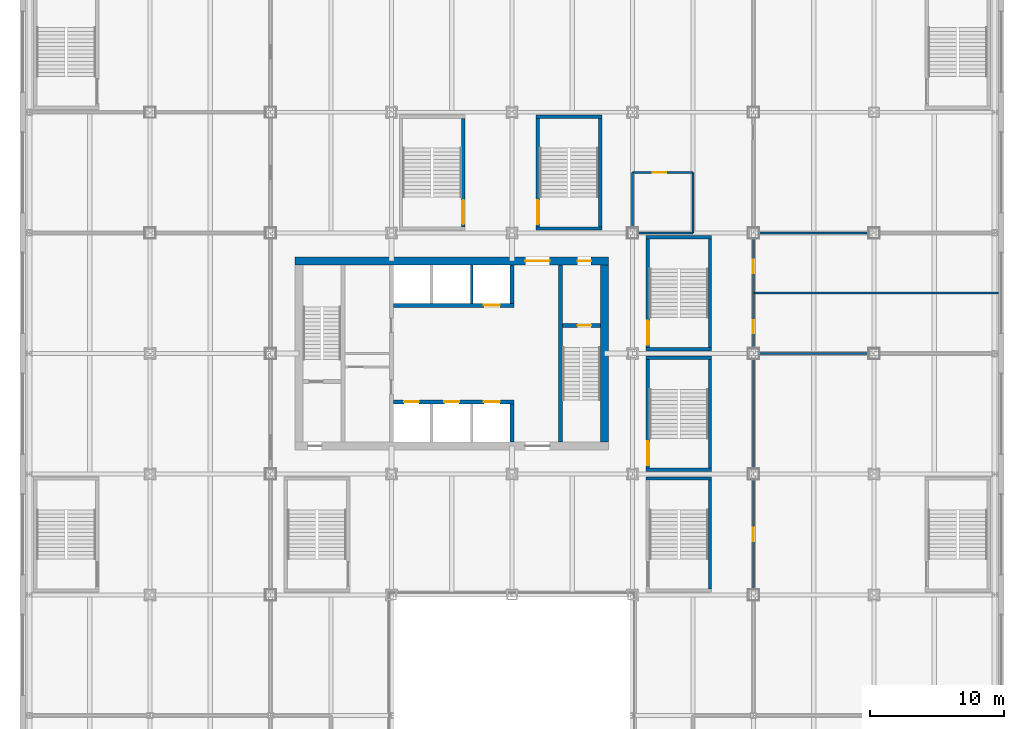
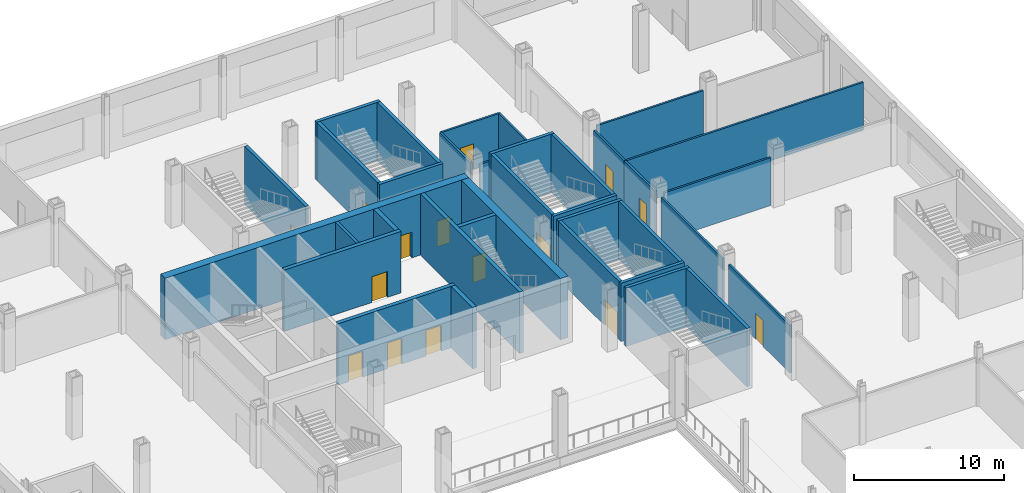
# One storey, part 13 of 31: 35 walls, 15 doors, 15 openings.
"""IFC4 building model written with IfcOpenShell, lengths in metres."""

from ifc_helpers import new_model, si_unit, direction, frame, frame_2d, origin, place, context, subcontext, project, spatial, rectangle, extrude, material, layer, layer_set, type_object, element, fill, save


model = new_model("IFC4")

# Units and contexts
model_context = context("Model", 3, precision=1e-05, world=origin(), true_north=direction((0.0, 1.0)))
body_context = subcontext(model_context, "Body", "Model", "MODEL_VIEW")
ifc_project = project(units=[si_unit("LENGTHUNIT", "METRE"), si_unit("AREAUNIT", "SQUARE_METRE"), si_unit("VOLUMEUNIT", "CUBIC_METRE"), si_unit("PLANEANGLEUNIT", "RADIAN"), si_unit("MASSUNIT", "GRAM", prefix="KILO")], contexts=[model_context])

# Site, building, storey
site_placement = place(None, origin())
site = spatial("IfcSite", under=ifc_project, at=site_placement, CompositionType="ELEMENT")
building_placement = place(site_placement, origin())
building = spatial("IfcBuilding", under=site, at=building_placement, Name="Loomwork Tower", CompositionType="ELEMENT")
storey_placement = place(building_placement, frame((0.0, 0.0, 11.0)))
storey = spatial("IfcBuildingStorey", under=building, at=storey_placement, Name="L02", CompositionType="ELEMENT", Elevation=11.0)

# Wall, openings, doors
ifc_material_1 = material(Name="Concrete 14000 psi (97 MPa)", Category="concrete")
ifc_layer_1 = layer(ifc_material_1, 0.300048828125)
ifc_layer_set_1 = layer_set([ifc_layer_1], Name="Core shear wall 300")
wall_type_1 = type_object("IfcWallType", Name="Core shear wall 300", PredefinedType="SHEAR", material=ifc_layer_set_1)
wall_1_placement = place(storey_placement, frame((18.14990234375, 14.39990234375, 0.0), z_axis=(0.0, 0.0, 1.0), x_axis=(1.0, 0.0, 0.0)))
wall_1 = element("IfcWall", 1, at=wall_1_placement, inside=storey, type_object=wall_type_1, Name="Lift front wall south L02", PredefinedType="SHEAR", context=body_context, shape_type="SweptSolid", body=[
    extrude(rectangle(XDim=9.0, YDim=0.300048828125, at=frame_2d((4.5, 0.0))), origin(), (0.0, 0.0, 1.0), 5.0),
])
opening_1_placement = place(wall_1_placement, frame((0.800048828125, 0.0, 0.0)))
opening_1 = element("IfcOpeningElement", 2, at=opening_1_placement, cuts=wall_1, Name="Opening LD1", PredefinedType="OPENING", context=body_context, shape_type="SweptSolid", body=[
    extrude(rectangle(XDim=1.10009765625, YDim=2.10009765625, at=frame_2d((0.550048828125, 1.050048828125))), frame((0.0, 0.159912109375, 0.0), z_axis=(0.0, -1.0, 0.0), x_axis=(1.0, 0.0, 0.0)), (0.0, 0.0, 1.0), 0.320068359375),
])
opening_2_placement = place(wall_1_placement, frame((3.800048828125, 0.0, 0.0)))
opening_2 = element("IfcOpeningElement", 3, at=opening_2_placement, cuts=wall_1, Name="Opening LD1", PredefinedType="OPENING", context=body_context, shape_type="SweptSolid", body=[
    extrude(rectangle(XDim=1.10009765625, YDim=2.10009765625, at=frame_2d((0.550048828125, 1.050048828125))), frame((0.0, 0.159912109375, 0.0), z_axis=(0.0, -1.0, 0.0), x_axis=(1.0, 0.0, 0.0)), (0.0, 0.0, 1.0), 0.320068359375),
])
opening_3_placement = place(wall_1_placement, frame((6.75, 0.0, 0.0)))
opening_3 = element("IfcOpeningElement", 4, at=opening_3_placement, cuts=wall_1, Name="Opening LD2", PredefinedType="OPENING", context=body_context, shape_type="SweptSolid", body=[
    extrude(rectangle(XDim=1.199951171875, YDim=2.10009765625, at=frame_2d((0.60009765625, 1.050048828125))), frame((0.0, 0.159912109375, 0.0), z_axis=(0.0, -1.0, 0.0), x_axis=(1.0, 0.0, 0.0)), (0.0, 0.0, 1.0), 0.320068359375),
])
ifc_material_2 = material(Name="Hollow metal door and frame")
door_type_1 = type_object("IfcDoorType", Name="Lift landing door 1100", OperationType="SLIDING_TO_LEFT", PredefinedType="DOOR", material=ifc_material_2)
door_1_placement = place(opening_1_placement, origin())
door_1 = element("IfcDoor", 5, at=door_1_placement, inside=storey, type_object=door_type_1, Name="Lift landing door LA1", OperationType="SLIDING_TO_LEFT", OverallHeight=2.10009765625, OverallWidth=1.10009765625, PredefinedType="DOOR", context=body_context, shape_type="SweptSolid", body=[
    extrude(rectangle(XDim=1.10009765625, YDim=2.10009765625, at=frame_2d((0.550048828125, 1.050048828125))), frame((0.0, 0.02490234375, 0.0), z_axis=(0.0, -1.0, 0.0), x_axis=(1.0, 0.0, 0.0)), (0.0, 0.0, 1.0), 0.050048828125),
])
fill(opening_1, door_1)
door_2_placement = place(opening_2_placement, origin())
door_2 = element("IfcDoor", 6, at=door_2_placement, inside=storey, type_object=door_type_1, Name="Lift landing door LA2", OperationType="SLIDING_TO_LEFT", OverallHeight=2.10009765625, OverallWidth=1.10009765625, PredefinedType="DOOR", context=body_context, shape_type="SweptSolid", body=[
    extrude(rectangle(XDim=1.10009765625, YDim=2.10009765625, at=frame_2d((0.550048828125, 1.050048828125))), frame((0.0, 0.02490234375, 0.0), z_axis=(0.0, -1.0, 0.0), x_axis=(1.0, 0.0, 0.0)), (0.0, 0.0, 1.0), 0.050048828125),
])
fill(opening_2, door_2)
ifc_material_3 = material(Name="Hollow metal door and frame")
door_type_2 = type_object("IfcDoorType", Name="Lift landing door 1200", OperationType="SLIDING_TO_LEFT", PredefinedType="DOOR", material=ifc_material_3)
door_3_placement = place(opening_3_placement, origin())
door_3 = element("IfcDoor", 7, at=door_3_placement, inside=storey, type_object=door_type_2, Name="Lift landing door LF1", OperationType="SLIDING_TO_LEFT", OverallHeight=2.10009765625, OverallWidth=1.199951171875, PredefinedType="DOOR", context=body_context, shape_type="SweptSolid", body=[
    extrude(rectangle(XDim=1.199951171875, YDim=2.10009765625, at=frame_2d((0.60009765625, 1.050048828125))), frame((0.0, 0.02490234375, 0.0), z_axis=(0.0, -1.0, 0.0), x_axis=(1.0, 0.0, 0.0)), (0.0, 0.0, 1.0), 0.050048828125),
])
fill(opening_3, door_3)

# Wall
wall_2_placement = place(storey_placement, frame((27.0, 11.39990234375, 0.0), z_axis=(0.0, 0.0, 1.0), x_axis=(0.0, 1.0, 0.0)))
element("IfcWall", 8, at=wall_2_placement, inside=storey, type_object=wall_type_1, Name="Lift shaft end wall south L02", PredefinedType="SHEAR", context=body_context, shape_type="SweptSolid", body=[
    extrude(rectangle(XDim=2.85009765625, YDim=0.300048828125, at=frame_2d((1.425048828125, 0.0))), origin(), (0.0, 0.0, 1.0), 5.0),
])

# Wall, opening, door
wall_3_placement = place(storey_placement, frame((18.14990234375, 21.60009765625, 0.0), z_axis=(0.0, 0.0, 1.0), x_axis=(1.0, 0.0, 0.0)))
wall_3 = element("IfcWall", 9, at=wall_3_placement, inside=storey, type_object=wall_type_1, Name="Lift front wall north L02", PredefinedType="SHEAR", context=body_context, shape_type="SweptSolid", body=[
    extrude(rectangle(XDim=9.0, YDim=0.300048828125, at=frame_2d((4.5, 0.0))), origin(), (0.0, 0.0, 1.0), 5.0),
])
opening_4_placement = place(wall_3_placement, frame((6.75, 0.0, 0.0)))
opening_4 = element("IfcOpeningElement", 10, at=opening_4_placement, cuts=wall_3, Name="Opening LD2", PredefinedType="OPENING", context=body_context, shape_type="SweptSolid", body=[
    extrude(rectangle(XDim=1.199951171875, YDim=2.10009765625, at=frame_2d((0.60009765625, 1.050048828125))), frame((0.0, 0.159912109375, 0.0), z_axis=(0.0, -1.0, 0.0), x_axis=(1.0, 0.0, 0.0)), (0.0, 0.0, 1.0), 0.320068359375),
])
door_4_placement = place(opening_4_placement, origin())
door_4 = element("IfcDoor", 11, at=door_4_placement, inside=storey, type_object=door_type_2, Name="Lift landing door LF2", OperationType="SLIDING_TO_LEFT", OverallHeight=2.10009765625, OverallWidth=1.199951171875, PredefinedType="DOOR", context=body_context, shape_type="SweptSolid", body=[
    extrude(rectangle(XDim=1.199951171875, YDim=2.10009765625, at=frame_2d((0.60009765625, 1.050048828125))), frame((0.0, 0.02490234375, 0.0), z_axis=(0.0, -1.0, 0.0), x_axis=(1.0, 0.0, 0.0)), (0.0, 0.0, 1.0), 0.050048828125),
])
fill(opening_4, door_4)

# Walls
wall_4_placement = place(storey_placement, frame((27.0, 21.75, 0.0), z_axis=(0.0, 0.0, 1.0), x_axis=(0.0, 1.0, 0.0)))
element("IfcWall", 12, at=wall_4_placement, inside=storey, type_object=wall_type_1, Name="Lift shaft end wall north L02", PredefinedType="SHEAR", context=body_context, shape_type="SweptSolid", body=[
    extrude(rectangle(XDim=2.85009765625, YDim=0.300048828125, at=frame_2d((1.425048828125, 0.0))), origin(), (0.0, 0.0, 1.0), 5.0),
])
wall_5_placement = place(storey_placement, frame((30.60009765625, 11.39990234375, 0.0), z_axis=(0.0, 0.0, 1.0), x_axis=(0.0, 1.0, 0.0)))
element("IfcWall", 13, at=wall_5_placement, inside=storey, type_object=wall_type_1, Name="Stair B west wall L02", PredefinedType="SHEAR", context=body_context, shape_type="SweptSolid", body=[
    extrude(rectangle(XDim=13.2001953125, YDim=0.300048828125, at=frame_2d((6.60009765625, 0.0))), origin(), (0.0, 0.0, 1.0), 5.0),
])

# Wall, opening, door
wall_6_placement = place(storey_placement, frame((30.75, 20.10009765625, 0.0), z_axis=(0.0, 0.0, 1.0), x_axis=(1.0, 0.0, 0.0)))
wall_6 = element("IfcWall", 14, at=wall_6_placement, inside=storey, type_object=wall_type_1, Name="Stair B north wall L02", PredefinedType="SHEAR", context=body_context, shape_type="SweptSolid", body=[
    extrude(rectangle(XDim=2.85009765625, YDim=0.300048828125, at=frame_2d((1.425048828125, 0.0))), origin(), (0.0, 0.0, 1.0), 5.0),
])
opening_5_placement = place(wall_6_placement, frame((1.14990234375, 0.0, 0.0)))
opening_5 = element("IfcOpeningElement", 15, at=opening_5_placement, cuts=wall_6, Name="Opening D4", PredefinedType="OPENING", context=body_context, shape_type="SweptSolid", body=[
    extrude(rectangle(XDim=1.0, YDim=2.10009765625, at=frame_2d((0.5, 1.050048828125))), frame((0.0, 0.159912109375, 0.0), z_axis=(0.0, -1.0, 0.0), x_axis=(1.0, 0.0, 0.0)), (0.0, 0.0, 1.0), 0.320068359375),
])
ifc_material_4 = material(Name="Hollow metal door and frame")
door_type_3 = type_object("IfcDoorType", Name="Stair door 1000", OperationType="SINGLE_SWING_RIGHT", PredefinedType="DOOR", material=ifc_material_4)
door_5_placement = place(opening_5_placement, frame((1.0, 0.0, 0.0), z_axis=(0.0, 0.0, 1.0), x_axis=(-1.0, 0.0, 0.0)))
door_5 = element("IfcDoor", 16, at=door_5_placement, inside=storey, type_object=door_type_3, Name="Stair B door", OperationType="SINGLE_SWING_LEFT", OverallHeight=2.10009765625, OverallWidth=1.0, PredefinedType="DOOR", context=body_context, shape_type="SweptSolid", body=[
    extrude(rectangle(XDim=1.0, YDim=2.10009765625, at=frame_2d((0.5, 1.050048828125))), frame((0.0, 0.02490234375, 0.0), z_axis=(0.0, -1.0, 0.0), x_axis=(1.0, 0.0, 0.0)), (0.0, 0.0, 1.0), 0.050048828125),
])
fill(opening_5, door_5)

# Wall, openings, doors
ifc_material_5 = material(Name="Concrete 14000 psi (97 MPa)", Category="concrete")
ifc_layer_2 = layer(ifc_material_5, 0.60009765625)
ifc_layer_set_2 = layer_set([ifc_layer_2], Name="Core shear wall 600")
wall_type_2 = type_object("IfcWallType", Name="Core shear wall 600", PredefinedType="SHEAR", material=ifc_layer_set_2)
wall_7_placement = place(storey_placement, frame((10.800048828125, 24.89990234375, 0.0), z_axis=(0.0, 0.0, 1.0), x_axis=(1.0, 0.0, 0.0)))
wall_7 = element("IfcWall", 17, at=wall_7_placement, inside=storey, type_object=wall_type_2, Name="Core wall north L02", PredefinedType="SHEAR", context=body_context, shape_type="SweptSolid", body=[
    extrude(rectangle(XDim=23.39990234375, YDim=0.60009765625, at=frame_2d((11.699951171875, 0.0))), origin(), (0.0, 0.0, 1.0), 5.0),
])
opening_6_placement = place(wall_7_placement, frame((17.199951171875, 0.0, 0.0)))
opening_6 = element("IfcOpeningElement", 18, at=opening_6_placement, cuts=wall_7, Name="Opening D6", PredefinedType="OPENING", context=body_context, shape_type="SweptSolid", body=[
    extrude(rectangle(XDim=1.800048828125, YDim=2.10009765625, at=frame_2d((0.89990234375, 1.050048828125))), frame((0.0, 0.31005859375, 0.0), z_axis=(0.0, -1.0, 0.0), x_axis=(1.0, 0.0, 0.0)), (0.0, 0.0, 1.0), 0.6201171875),
])
opening_7_placement = place(wall_7_placement, frame((21.10009765625, 0.0, 0.0)))
opening_7 = element("IfcOpeningElement", 19, at=opening_7_placement, cuts=wall_7, Name="Opening D4", PredefinedType="OPENING", context=body_context, shape_type="SweptSolid", body=[
    extrude(rectangle(XDim=1.0, YDim=2.10009765625, at=frame_2d((0.5, 1.050048828125))), frame((0.0, 0.31005859375, 0.0), z_axis=(0.0, -1.0, 0.0), x_axis=(1.0, 0.0, 0.0)), (0.0, 0.0, 1.0), 0.6201171875),
])
ifc_material_6 = material(Name="Hollow metal door and frame")
door_type_4 = type_object("IfcDoorType", Name="Lobby passage double door 1800", OperationType="DOUBLE_DOOR_SINGLE_SWING", PredefinedType="DOOR", material=ifc_material_6)
door_6_placement = place(opening_6_placement, origin())
door_6 = element("IfcDoor", 20, at=door_6_placement, inside=storey, type_object=door_type_4, Name="Lobby passage door north", OperationType="DOUBLE_DOOR_SINGLE_SWING", OverallHeight=2.10009765625, OverallWidth=1.800048828125, PredefinedType="DOOR", context=body_context, shape_type="SweptSolid", body=[
    extrude(rectangle(XDim=1.800048828125, YDim=2.10009765625, at=frame_2d((0.89990234375, 1.050048828125))), frame((0.0, 0.02490234375, 0.0), z_axis=(0.0, -1.0, 0.0), x_axis=(1.0, 0.0, 0.0)), (0.0, 0.0, 1.0), 0.050048828125),
])
fill(opening_6, door_6)
door_7_placement = place(opening_7_placement, frame((1.0, 0.0, 0.0), z_axis=(0.0, 0.0, 1.0), x_axis=(-1.0, 0.0, 0.0)))
door_7 = element("IfcDoor", 21, at=door_7_placement, inside=storey, type_object=door_type_3, Name="Stair B vestibule door", OperationType="SINGLE_SWING_LEFT", OverallHeight=2.10009765625, OverallWidth=1.0, PredefinedType="DOOR", context=body_context, shape_type="SweptSolid", body=[
    extrude(rectangle(XDim=1.0, YDim=2.10009765625, at=frame_2d((0.5, 1.050048828125))), frame((0.0, 0.02490234375, 0.0), z_axis=(0.0, -1.0, 0.0), x_axis=(1.0, 0.0, 0.0)), (0.0, 0.0, 1.0), 0.050048828125),
])
fill(opening_7, door_7)

# Walls
wall_8_placement = place(storey_placement, frame((33.89990234375, 11.39990234375, 0.0), z_axis=(0.0, 0.0, 1.0), x_axis=(0.0, 1.0, 0.0)))
element("IfcWall", 22, at=wall_8_placement, inside=storey, type_object=wall_type_2, Name="Core wall east L02", PredefinedType="SHEAR", context=body_context, shape_type="SweptSolid", body=[
    extrude(rectangle(XDim=13.2001953125, YDim=0.60009765625, at=frame_2d((6.60009765625, 0.0))), origin(), (0.0, 0.0, 1.0), 5.0),
])
ifc_material_7 = material(Name="Concrete 14000 psi (97 MPa)", Category="concrete")
ifc_layer_3 = layer(ifc_material_7, 0.199951171875)
ifc_layer_set_3 = layer_set([ifc_layer_3], Name="Lift shaft wall 200")
wall_type_3 = type_object("IfcWallType", Name="Lift shaft wall 200", PredefinedType="SHEAR", material=ifc_layer_set_3)
wall_9_placement = place(storey_placement, frame((24.0, 21.75, 0.0), z_axis=(0.0, 0.0, 1.0), x_axis=(0.0, 1.0, 0.0)))
element("IfcWall", 23, at=wall_9_placement, inside=storey, type_object=wall_type_3, Name="Lift shaft separation wall north 2 L02", PredefinedType="SHEAR", context=body_context, shape_type="SweptSolid", body=[
    extrude(rectangle(XDim=2.85009765625, YDim=0.199951171875, at=frame_2d((1.425048828125, 0.0))), origin(), (0.0, 0.0, 1.0), 5.0),
])
ifc_material_8 = material(Name="Gypsum board on steel studs, one-hour", Category="steel")
ifc_layer_4 = layer(ifc_material_8, 0.14990234375)
ifc_layer_set_4 = layer_set([ifc_layer_4], Name="Partition 150")
wall_type_4 = type_object("IfcWallType", Name="Partition 150", PredefinedType="PARTITIONING", material=ifc_layer_set_4)
for number, where, z_axis, x_axis, name in (
    (24, (36.0, 27.39990234375, 0.0), (0.0, 0.0, 1.0), (0.0, 1.0, 0.0), "Partition L02 10.1"),
    (25, (40.5, 27.0, 0.0), (0.0, 0.0, 1.0), (-1.0, 0.0, 0.0), "Partition L02 11.1"),
):
    element("IfcWall", number, at=place(storey_placement, frame(where, z_axis=z_axis, x_axis=x_axis)), inside=storey, type_object=wall_type_4, Name=name, PredefinedType="PARTITIONING", context=body_context, shape_type="SweptSolid", body=[
        extrude(rectangle(XDim=4.10009765625, YDim=0.14990234375, at=frame_2d((2.050048828125, 0.0))), origin(), (0.0, 0.0, 1.0), 3.8916015625),
    ])

# Wall, opening, door
wall_10_placement = place(storey_placement, frame((36.0, 31.5, 0.0), z_axis=(0.0, 0.0, 1.0), x_axis=(1.0, 0.0, 0.0)))
wall_10 = element("IfcWall", 26, at=wall_10_placement, inside=storey, type_object=wall_type_4, Name="Partition L02 12.1", PredefinedType="PARTITIONING", context=body_context, shape_type="SweptSolid", body=[
    extrude(rectangle(XDim=4.5, YDim=0.14990234375, at=frame_2d((2.25, 0.0))), origin(), (0.0, 0.0, 1.0), 3.89111328125),
])
opening_8_placement = place(wall_10_placement, frame((1.5, 0.0, 0.0)))
opening_8 = element("IfcOpeningElement", 27, at=opening_8_placement, cuts=wall_10, Name="Opening D8", PredefinedType="OPENING", context=body_context, shape_type="SweptSolid", body=[
    extrude(rectangle(XDim=1.0, YDim=2.10009765625, at=frame_2d((0.5, 1.050048828125))), frame((0.0, 0.0849609375, 0.0), z_axis=(0.0, -1.0, 0.0), x_axis=(1.0, 0.0, 0.0)), (0.0, 0.0, 1.0), 0.169921875),
])
ifc_material_9 = material(Name="Hollow metal door and frame")
door_type_5 = type_object("IfcDoorType", Name="WC door 1000", OperationType="SINGLE_SWING_LEFT", PredefinedType="DOOR", material=ifc_material_9)
door_8_placement = place(opening_8_placement, frame((1.0, 0.0, 0.0), z_axis=(0.0, 0.0, 1.0), x_axis=(-1.0, 0.0, 0.0)))
door_8 = element("IfcDoor", 28, at=door_8_placement, inside=storey, type_object=door_type_5, Name="Accessible WC door", OperationType="SINGLE_SWING_RIGHT", OverallHeight=2.10009765625, OverallWidth=1.0, PredefinedType="DOOR", context=body_context, shape_type="SweptSolid", body=[
    extrude(rectangle(XDim=1.0, YDim=2.10009765625, at=frame_2d((0.5, 1.050048828125))), frame((0.0, 0.02490234375, 0.0), z_axis=(0.0, -1.0, 0.0), x_axis=(1.0, 0.0, 0.0)), (0.0, 0.0, 1.0), 0.050048828125),
])
fill(opening_8, door_8)

# Wall
wall_11_placement = place(storey_placement, frame((40.5, 31.5, 0.0), z_axis=(0.0, 0.0, 1.0), x_axis=(0.0, -1.0, 0.0)))
element("IfcWall", 29, at=wall_11_placement, inside=storey, type_object=wall_type_4, Name="Partition L02 15.1", PredefinedType="PARTITIONING", context=body_context, shape_type="SweptSolid", body=[
    extrude(rectangle(XDim=4.5, YDim=0.14990234375, at=frame_2d((2.25, 0.0))), origin(), (0.0, 0.0, 1.0), 3.89111328125),
])

# Wall, opening, door
wall_12_placement = place(storey_placement, frame((45.0, 0.39990234375, 0.0), z_axis=(0.0, 0.0, 1.0), x_axis=(0.0, 1.0, 0.0)))
wall_12 = element("IfcWall", 30, at=wall_12_placement, inside=storey, type_object=wall_type_4, Name="Partition L02 17.2", PredefinedType="PARTITIONING", context=body_context, shape_type="SweptSolid", body=[
    extrude(rectangle(XDim=8.2001953125, YDim=0.14990234375, at=frame_2d((4.10009765625, 0.0))), origin(), (0.0, 0.0, 1.0), 3.8916015625),
])
opening_9_placement = place(wall_12_placement, frame((3.60009765625, 0.0, 0.0)))
opening_9 = element("IfcOpeningElement", 31, at=opening_9_placement, cuts=wall_12, Name="Opening D7", PredefinedType="OPENING", context=body_context, shape_type="SweptSolid", body=[
    extrude(rectangle(XDim=1.0, YDim=2.10009765625, at=frame_2d((0.5, 1.050048828125))), frame((0.0, 0.0849609375, 0.0), z_axis=(0.0, -1.0, 0.0), x_axis=(1.0, 0.0, 0.0)), (0.0, 0.0, 1.0), 0.169921875),
])
ifc_material_10 = material(Name="Hollow metal door and frame")
door_type_6 = type_object("IfcDoorType", Name="Room door 1000", OperationType="SINGLE_SWING_LEFT", PredefinedType="DOOR", material=ifc_material_10)
door_9_placement = place(opening_9_placement, frame((1.0, 0.0, 0.0), z_axis=(0.0, 0.0, 1.0), x_axis=(-1.0, 0.0, 0.0)))
door_9 = element("IfcDoor", 32, at=door_9_placement, inside=storey, type_object=door_type_6, Name="Business centre door", OperationType="SINGLE_SWING_RIGHT", OverallHeight=2.10009765625, OverallWidth=1.0, PredefinedType="DOOR", context=body_context, shape_type="SweptSolid", body=[
    extrude(rectangle(XDim=1.0, YDim=2.10009765625, at=frame_2d((0.5, 1.050048828125))), frame((0.0, 0.02490234375, 0.0), z_axis=(0.0, -1.0, 0.0), x_axis=(1.0, 0.0, 0.0)), (0.0, 0.0, 1.0), 0.050048828125),
])
fill(opening_9, door_9)

# Walls
for number, where, z_axis, x_axis, name in (
    (33, (45.0, 9.39990234375, 0.0), (0.0, 0.0, 1.0), (0.0, 1.0, 0.0), "Partition L02 17.3"),
    (34, (45.39990234375, 18.0, 0.0), (0.0, 0.0, 1.0), (1.0, 0.0, 0.0), "Partition L02 18.1"),
):
    element("IfcWall", number, at=place(storey_placement, frame(where, z_axis=z_axis, x_axis=x_axis)), inside=storey, type_object=wall_type_4, Name=name, PredefinedType="PARTITIONING", context=body_context, shape_type="SweptSolid", body=[
        extrude(rectangle(XDim=8.2001953125, YDim=0.14990234375, at=frame_2d((4.10009765625, 0.0))), origin(), (0.0, 0.0, 1.0), 3.8916015625),
    ])

# Wall, opening, door
wall_13_placement = place(storey_placement, frame((45.0, 18.39990234375, 0.0), z_axis=(0.0, 0.0, 1.0), x_axis=(0.0, 1.0, 0.0)))
wall_13 = element("IfcWall", 35, at=wall_13_placement, inside=storey, type_object=wall_type_4, Name="Partition L02 19.1", PredefinedType="PARTITIONING", context=body_context, shape_type="SweptSolid", body=[
    extrude(rectangle(XDim=4.10009765625, YDim=0.14990234375, at=frame_2d((2.050048828125, 0.0))), origin(), (0.0, 0.0, 1.0), 3.8916015625),
])
opening_10_placement = place(wall_13_placement, frame((1.10009765625, 0.0, 0.0)))
opening_10 = element("IfcOpeningElement", 36, at=opening_10_placement, cuts=wall_13, Name="Opening D8", PredefinedType="OPENING", context=body_context, shape_type="SweptSolid", body=[
    extrude(rectangle(XDim=1.0, YDim=2.10009765625, at=frame_2d((0.5, 1.050048828125))), frame((0.0, 0.0849609375, 0.0), z_axis=(0.0, -1.0, 0.0), x_axis=(1.0, 0.0, 0.0)), (0.0, 0.0, 1.0), 0.169921875),
])
door_10_placement = place(opening_10_placement, frame((1.0, 0.0, 0.0), z_axis=(0.0, 0.0, 1.0), x_axis=(-1.0, 0.0, 0.0)))
door_10 = element("IfcDoor", 37, at=door_10_placement, inside=storey, type_object=door_type_5, Name="Public WC men door", OperationType="SINGLE_SWING_RIGHT", OverallHeight=2.10009765625, OverallWidth=1.0, PredefinedType="DOOR", context=body_context, shape_type="SweptSolid", body=[
    extrude(rectangle(XDim=1.0, YDim=2.10009765625, at=frame_2d((0.5, 1.050048828125))), frame((0.0, 0.02490234375, 0.0), z_axis=(0.0, -1.0, 0.0), x_axis=(1.0, 0.0, 0.0)), (0.0, 0.0, 1.0), 0.050048828125),
])
fill(opening_10, door_10)

# Wall
wall_14_placement = place(storey_placement, frame((45.0, 22.5, 0.0), z_axis=(0.0, 0.0, 1.0), x_axis=(1.0, 0.0, 0.0)))
element("IfcWall", 38, at=wall_14_placement, inside=storey, type_object=wall_type_4, Name="Partition L02 20.1", PredefinedType="PARTITIONING", context=body_context, shape_type="SweptSolid", body=[
    extrude(rectangle(XDim=18.300048828125, YDim=0.14990234375, at=frame_2d((9.14990234375, 0.0))), origin(), (0.0, 0.0, 1.0), 3.89111328125),
])

# Wall, opening, door
wall_15_placement = place(storey_placement, frame((45.0, 22.5, 0.0), z_axis=(0.0, 0.0, 1.0), x_axis=(0.0, 1.0, 0.0)))
wall_15 = element("IfcWall", 39, at=wall_15_placement, inside=storey, type_object=wall_type_4, Name="Partition L02 21.1", PredefinedType="PARTITIONING", context=body_context, shape_type="SweptSolid", body=[
    extrude(rectangle(XDim=4.10009765625, YDim=0.14990234375, at=frame_2d((2.050048828125, 0.0))), origin(), (0.0, 0.0, 1.0), 3.8916015625),
])
opening_11_placement = place(wall_15_placement, frame((1.5, 0.0, 0.0)))
opening_11 = element("IfcOpeningElement", 40, at=opening_11_placement, cuts=wall_15, Name="Opening D8", PredefinedType="OPENING", context=body_context, shape_type="SweptSolid", body=[
    extrude(rectangle(XDim=1.0, YDim=2.10009765625, at=frame_2d((0.5, 1.050048828125))), frame((0.0, 0.0849609375, 0.0), z_axis=(0.0, -1.0, 0.0), x_axis=(1.0, 0.0, 0.0)), (0.0, 0.0, 1.0), 0.169921875),
])
door_11_placement = place(opening_11_placement, frame((1.0, 0.0, 0.0), z_axis=(0.0, 0.0, 1.0), x_axis=(-1.0, 0.0, 0.0)))
door_11 = element("IfcDoor", 41, at=door_11_placement, inside=storey, type_object=door_type_5, Name="Public WC women door", OperationType="SINGLE_SWING_RIGHT", OverallHeight=2.10009765625, OverallWidth=1.0, PredefinedType="DOOR", context=body_context, shape_type="SweptSolid", body=[
    extrude(rectangle(XDim=1.0, YDim=2.10009765625, at=frame_2d((0.5, 1.050048828125))), frame((0.0, 0.02490234375, 0.0), z_axis=(0.0, -1.0, 0.0), x_axis=(1.0, 0.0, 0.0)), (0.0, 0.0, 1.0), 0.050048828125),
])
fill(opening_11, door_11)

# Walls
wall_16_placement = place(storey_placement, frame((45.39990234375, 27.0, 0.0), z_axis=(0.0, 0.0, 1.0), x_axis=(1.0, 0.0, 0.0)))
element("IfcWall", 42, at=wall_16_placement, inside=storey, type_object=wall_type_4, Name="Partition L02 22.1", PredefinedType="PARTITIONING", context=body_context, shape_type="SweptSolid", body=[
    extrude(rectangle(XDim=8.2001953125, YDim=0.14990234375, at=frame_2d((4.10009765625, 0.0))), origin(), (0.0, 0.0, 1.0), 3.8916015625),
])
ifc_material_11 = material(Name="Concrete masonry, two-hour", Category="masonry")
ifc_layer_5 = layer(ifc_material_11, 0.25)
ifc_layer_set_5 = layer_set([ifc_layer_5], Name="Stair enclosure wall 250")
wall_type_5 = type_object("IfcWallType", Name="Stair enclosure wall 250", PredefinedType="SOLIDWALL", material=ifc_layer_set_5)
wall_17_placement = place(storey_placement, frame((37.0, 8.675048828125, 0.0), z_axis=(0.0, 0.0, 1.0), x_axis=(1.0, 0.0, 0.0)))
element("IfcWall", 43, at=wall_17_placement, inside=storey, type_object=wall_type_5, Name="Stair PS7 enclosure wall N L02", PredefinedType="SOLIDWALL", context=body_context, shape_type="SweptSolid", body=[
    extrude(rectangle(XDim=4.89990234375, YDim=0.25, at=frame_2d((2.449951171875, 0.0))), origin(), (0.0, 0.0, 1.0), 4.75),
])
wall_18_placement = place(storey_placement, frame((41.77490234375, 0.449951171875, 0.0), z_axis=(0.0, 0.0, 1.0), x_axis=(0.0, 1.0, 0.0)))
element("IfcWall", 44, at=wall_18_placement, inside=storey, type_object=wall_type_5, Name="Stair PS7 enclosure wall E L02", PredefinedType="SOLIDWALL", context=body_context, shape_type="SweptSolid", body=[
    extrude(rectangle(XDim=8.10009765625, YDim=0.25, at=frame_2d((4.050048828125, 0.0))), origin(), (0.0, 0.0, 1.0), 4.75),
])
for number, where, z_axis, x_axis, name in (
    (45, (37.0, 9.324951171875, 0.0), (0.0, 0.0, 1.0), (1.0, 0.0, 0.0), "Stair PS8 enclosure wall S L02"),
    (46, (37.0, 17.675048828125, 0.0), (0.0, 0.0, 1.0), (1.0, 0.0, 0.0), "Stair PS8 enclosure wall N L02"),
):
    element("IfcWall", number, at=place(storey_placement, frame(where, z_axis=z_axis, x_axis=x_axis)), inside=storey, type_object=wall_type_5, Name=name, PredefinedType="SOLIDWALL", context=body_context, shape_type="SweptSolid", body=[
        extrude(rectangle(XDim=4.89990234375, YDim=0.25, at=frame_2d((2.449951171875, 0.0))), origin(), (0.0, 0.0, 1.0), 4.75),
    ])

# Wall, opening, door
wall_19_placement = place(storey_placement, frame((37.125, 9.449951171875, 0.0), z_axis=(0.0, 0.0, 1.0), x_axis=(0.0, 1.0, 0.0)))
wall_19 = element("IfcWall", 47, at=wall_19_placement, inside=storey, type_object=wall_type_5, Name="Stair PS8 enclosure wall W L02", PredefinedType="SOLIDWALL", context=body_context, shape_type="SweptSolid", body=[
    extrude(rectangle(XDim=8.10009765625, YDim=0.25, at=frame_2d((4.050048828125, 0.0))), origin(), (0.0, 0.0, 1.0), 4.75),
])
opening_12_placement = place(wall_19_placement, frame((0.199951171875, 0.0, 0.0)))
opening_12 = element("IfcOpeningElement", 48, at=opening_12_placement, cuts=wall_19, Name="Opening D14", PredefinedType="OPENING", context=body_context, shape_type="SweptSolid", body=[
    extrude(rectangle(XDim=1.800048828125, YDim=2.10009765625, at=frame_2d((0.89990234375, 1.050048828125))), frame((0.0, 0.135009765625, 0.0), z_axis=(0.0, -1.0, 0.0), x_axis=(1.0, 0.0, 0.0)), (0.0, 0.0, 1.0), 0.27001953125),
])
ifc_material_12 = material(Name="Hollow metal door and frame")
door_type_7 = type_object("IfcDoorType", Name="Stair double door 1800", OperationType="DOUBLE_DOOR_SINGLE_SWING", PredefinedType="DOOR", material=ifc_material_12)
door_12_placement = place(opening_12_placement, frame((1.800048828125, 0.0, 0.0), z_axis=(0.0, 0.0, 1.0), x_axis=(-1.0, 0.0, 0.0)))
door_12 = element("IfcDoor", 49, at=door_12_placement, inside=storey, type_object=door_type_7, Name="Stair PS8 door L02", OperationType="DOUBLE_DOOR_SINGLE_SWING", OverallHeight=2.10009765625, OverallWidth=1.800048828125, PredefinedType="DOOR", context=body_context, shape_type="SweptSolid", body=[
    extrude(rectangle(XDim=1.800048828125, YDim=2.10009765625, at=frame_2d((0.89990234375, 1.050048828125))), frame((0.0, 0.02490234375, 0.0), z_axis=(0.0, -1.0, 0.0), x_axis=(1.0, 0.0, 0.0)), (0.0, 0.0, 1.0), 0.050048828125),
])
fill(opening_12, door_12)

# Walls
wall_20_placement = place(storey_placement, frame((41.77490234375, 9.449951171875, 0.0), z_axis=(0.0, 0.0, 1.0), x_axis=(0.0, 1.0, 0.0)))
element("IfcWall", 50, at=wall_20_placement, inside=storey, type_object=wall_type_5, Name="Stair PS8 enclosure wall E L02", PredefinedType="SOLIDWALL", context=body_context, shape_type="SweptSolid", body=[
    extrude(rectangle(XDim=8.10009765625, YDim=0.25, at=frame_2d((4.050048828125, 0.0))), origin(), (0.0, 0.0, 1.0), 4.75),
])
for number, where, z_axis, x_axis, name in (
    (51, (37.0, 18.324951171875, 0.0), (0.0, 0.0, 1.0), (1.0, 0.0, 0.0), "Stair PS9 enclosure wall S L02"),
    (52, (37.0, 26.675048828125, 0.0), (0.0, 0.0, 1.0), (1.0, 0.0, 0.0), "Stair PS9 enclosure wall N L02"),
):
    element("IfcWall", number, at=place(storey_placement, frame(where, z_axis=z_axis, x_axis=x_axis)), inside=storey, type_object=wall_type_5, Name=name, PredefinedType="SOLIDWALL", context=body_context, shape_type="SweptSolid", body=[
        extrude(rectangle(XDim=4.89990234375, YDim=0.25, at=frame_2d((2.449951171875, 0.0))), origin(), (0.0, 0.0, 1.0), 4.75),
    ])

# Wall, opening, door
wall_21_placement = place(storey_placement, frame((37.125, 18.449951171875, 0.0), z_axis=(0.0, 0.0, 1.0), x_axis=(0.0, 1.0, 0.0)))
wall_21 = element("IfcWall", 53, at=wall_21_placement, inside=storey, type_object=wall_type_5, Name="Stair PS9 enclosure wall W L02", PredefinedType="SOLIDWALL", context=body_context, shape_type="SweptSolid", body=[
    extrude(rectangle(XDim=8.10009765625, YDim=0.25, at=frame_2d((4.050048828125, 0.0))), origin(), (0.0, 0.0, 1.0), 4.75),
])
opening_13_placement = place(wall_21_placement, frame((0.199951171875, 0.0, 0.0)))
opening_13 = element("IfcOpeningElement", 54, at=opening_13_placement, cuts=wall_21, Name="Opening D14", PredefinedType="OPENING", context=body_context, shape_type="SweptSolid", body=[
    extrude(rectangle(XDim=1.800048828125, YDim=2.10009765625, at=frame_2d((0.89990234375, 1.050048828125))), frame((0.0, 0.135009765625, 0.0), z_axis=(0.0, -1.0, 0.0), x_axis=(1.0, 0.0, 0.0)), (0.0, 0.0, 1.0), 0.27001953125),
])
door_13_placement = place(opening_13_placement, frame((1.800048828125, 0.0, 0.0), z_axis=(0.0, 0.0, 1.0), x_axis=(-1.0, 0.0, 0.0)))
door_13 = element("IfcDoor", 55, at=door_13_placement, inside=storey, type_object=door_type_7, Name="Stair PS9 door L02", OperationType="DOUBLE_DOOR_SINGLE_SWING", OverallHeight=2.10009765625, OverallWidth=1.800048828125, PredefinedType="DOOR", context=body_context, shape_type="SweptSolid", body=[
    extrude(rectangle(XDim=1.800048828125, YDim=2.10009765625, at=frame_2d((0.89990234375, 1.050048828125))), frame((0.0, 0.02490234375, 0.0), z_axis=(0.0, -1.0, 0.0), x_axis=(1.0, 0.0, 0.0)), (0.0, 0.0, 1.0), 0.050048828125),
])
fill(opening_13, door_13)

# Wall
wall_22_placement = place(storey_placement, frame((41.77490234375, 18.449951171875, 0.0), z_axis=(0.0, 0.0, 1.0), x_axis=(0.0, 1.0, 0.0)))
element("IfcWall", 56, at=wall_22_placement, inside=storey, type_object=wall_type_5, Name="Stair PS9 enclosure wall E L02", PredefinedType="SOLIDWALL", context=body_context, shape_type="SweptSolid", body=[
    extrude(rectangle(XDim=8.10009765625, YDim=0.25, at=frame_2d((4.050048828125, 0.0))), origin(), (0.0, 0.0, 1.0), 4.75),
])

# Wall, opening, door
wall_23_placement = place(storey_placement, frame((23.375, 27.449951171875, 0.0), z_axis=(0.0, 0.0, 1.0), x_axis=(0.0, 1.0, 0.0)))
wall_23 = element("IfcWall", 57, at=wall_23_placement, inside=storey, type_object=wall_type_5, Name="Stair PS10 enclosure wall E L02", PredefinedType="SOLIDWALL", context=body_context, shape_type="SweptSolid", body=[
    extrude(rectangle(XDim=8.10009765625, YDim=0.25, at=frame_2d((4.050048828125, 0.0))), origin(), (0.0, 0.0, 1.0), 4.75),
])
opening_14_placement = place(wall_23_placement, frame((0.199951171875, 0.0, 0.0)))
opening_14 = element("IfcOpeningElement", 58, at=opening_14_placement, cuts=wall_23, Name="Opening D14", PredefinedType="OPENING", context=body_context, shape_type="SweptSolid", body=[
    extrude(rectangle(XDim=1.800048828125, YDim=2.10009765625, at=frame_2d((0.89990234375, 1.050048828125))), frame((0.0, 0.135009765625, 0.0), z_axis=(0.0, -1.0, 0.0), x_axis=(1.0, 0.0, 0.0)), (0.0, 0.0, 1.0), 0.27001953125),
])
door_14_placement = place(opening_14_placement, origin())
door_14 = element("IfcDoor", 59, at=door_14_placement, inside=storey, type_object=door_type_7, Name="Stair PS10 door L02", OperationType="DOUBLE_DOOR_SINGLE_SWING", OverallHeight=2.10009765625, OverallWidth=1.800048828125, PredefinedType="DOOR", context=body_context, shape_type="SweptSolid", body=[
    extrude(rectangle(XDim=1.800048828125, YDim=2.10009765625, at=frame_2d((0.89990234375, 1.050048828125))), frame((0.0, 0.02490234375, 0.0), z_axis=(0.0, -1.0, 0.0), x_axis=(1.0, 0.0, 0.0)), (0.0, 0.0, 1.0), 0.050048828125),
])
fill(opening_14, door_14)

# Walls
for number, where, z_axis, x_axis, name in (
    (60, (28.800048828125, 27.324951171875, 0.0), (0.0, 0.0, 1.0), (1.0, 0.0, 0.0), "Stair PS11 enclosure wall S L02"),
    (61, (28.800048828125, 35.675048828125, 0.0), (0.0, 0.0, 1.0), (1.0, 0.0, 0.0), "Stair PS11 enclosure wall N L02"),
):
    element("IfcWall", number, at=place(storey_placement, frame(where, z_axis=z_axis, x_axis=x_axis)), inside=storey, type_object=wall_type_5, Name=name, PredefinedType="SOLIDWALL", context=body_context, shape_type="SweptSolid", body=[
        extrude(rectangle(XDim=4.89990234375, YDim=0.25, at=frame_2d((2.449951171875, 0.0))), origin(), (0.0, 0.0, 1.0), 4.75),
    ])

# Wall, opening, door
wall_24_placement = place(storey_placement, frame((28.925048828125, 27.449951171875, 0.0), z_axis=(0.0, 0.0, 1.0), x_axis=(0.0, 1.0, 0.0)))
wall_24 = element("IfcWall", 62, at=wall_24_placement, inside=storey, type_object=wall_type_5, Name="Stair PS11 enclosure wall W L02", PredefinedType="SOLIDWALL", context=body_context, shape_type="SweptSolid", body=[
    extrude(rectangle(XDim=8.10009765625, YDim=0.25, at=frame_2d((4.050048828125, 0.0))), origin(), (0.0, 0.0, 1.0), 4.75),
])
opening_15_placement = place(wall_24_placement, frame((0.199951171875, 0.0, 0.0)))
opening_15 = element("IfcOpeningElement", 63, at=opening_15_placement, cuts=wall_24, Name="Opening D14", PredefinedType="OPENING", context=body_context, shape_type="SweptSolid", body=[
    extrude(rectangle(XDim=1.800048828125, YDim=2.10009765625, at=frame_2d((0.89990234375, 1.050048828125))), frame((0.0, 0.135009765625, 0.0), z_axis=(0.0, -1.0, 0.0), x_axis=(1.0, 0.0, 0.0)), (0.0, 0.0, 1.0), 0.27001953125),
])
door_15_placement = place(opening_15_placement, frame((1.800048828125, 0.0, 0.0), z_axis=(0.0, 0.0, 1.0), x_axis=(-1.0, 0.0, 0.0)))
door_15 = element("IfcDoor", 64, at=door_15_placement, inside=storey, type_object=door_type_7, Name="Stair PS11 door L02", OperationType="DOUBLE_DOOR_SINGLE_SWING", OverallHeight=2.10009765625, OverallWidth=1.800048828125, PredefinedType="DOOR", context=body_context, shape_type="SweptSolid", body=[
    extrude(rectangle(XDim=1.800048828125, YDim=2.10009765625, at=frame_2d((0.89990234375, 1.050048828125))), frame((0.0, 0.02490234375, 0.0), z_axis=(0.0, -1.0, 0.0), x_axis=(1.0, 0.0, 0.0)), (0.0, 0.0, 1.0), 0.050048828125),
])
fill(opening_15, door_15)

# Wall
wall_25_placement = place(storey_placement, frame((33.574951171875, 27.449951171875, 0.0), z_axis=(0.0, 0.0, 1.0), x_axis=(0.0, 1.0, 0.0)))
element("IfcWall", 65, at=wall_25_placement, inside=storey, type_object=wall_type_5, Name="Stair PS11 enclosure wall E L02", PredefinedType="SOLIDWALL", context=body_context, shape_type="SweptSolid", body=[
    extrude(rectangle(XDim=8.10009765625, YDim=0.25, at=frame_2d((4.050048828125, 0.0))), origin(), (0.0, 0.0, 1.0), 4.75),
])

save(model, "model.ifc")
